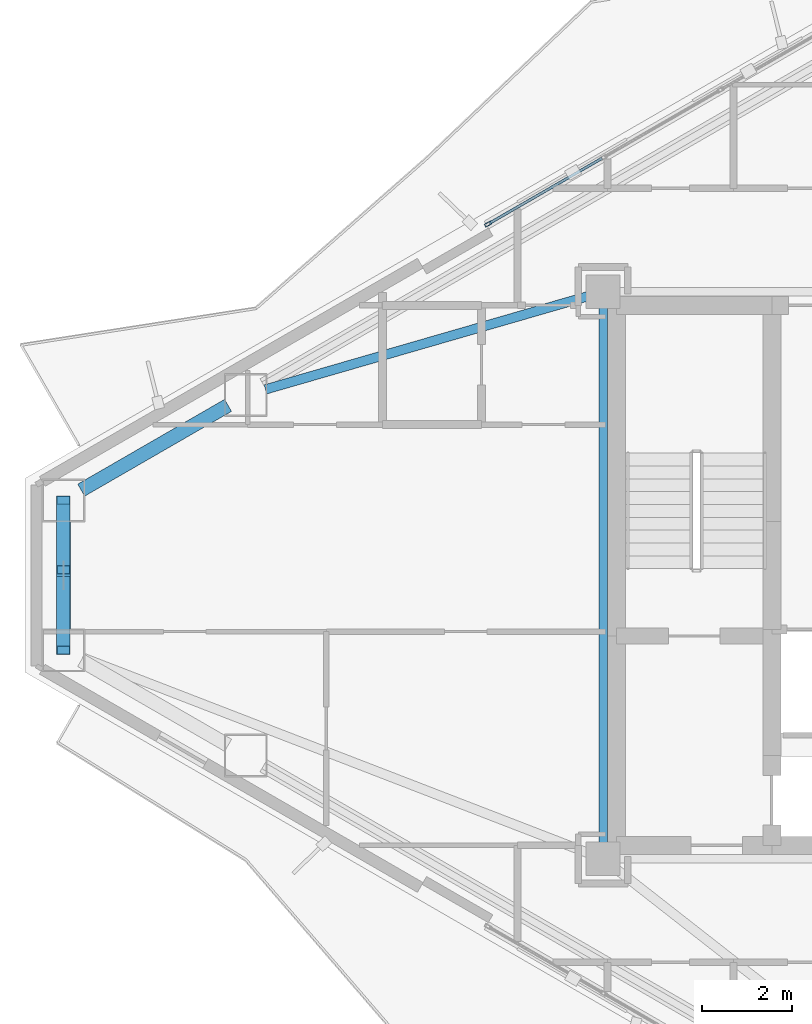
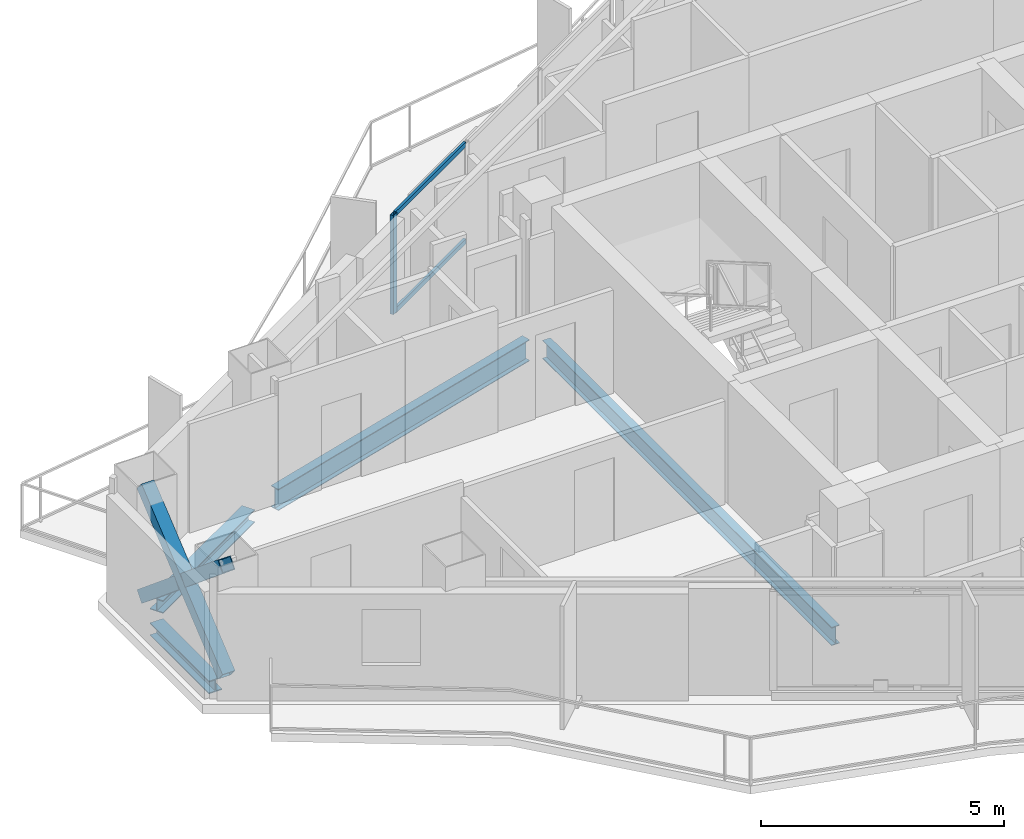
# One storey, part 7 of 21: 6 members, 4 beams, 1 element without a shape of its own.
"""IFC4 building model written with IfcOpenShell, lengths in metres."""

from ifc_helpers import new_model, si_unit, direction, frame, origin, origin_2d, place, context, subcontext, project, spatial, hollow_rectangle, i_section, extrude, material, layer, layer_set, material_profile, profile_set, type_object, element, aggregate, save


model = new_model("IFC4")

# Units and contexts
model_context = context("Model", 3, precision=1e-05, world=origin(), true_north=direction((0.0, 1.0)))
body_context = subcontext(model_context, "Body", "Model", "MODEL_VIEW")
ifc_project = project(units=[si_unit("LENGTHUNIT", "METRE"), si_unit("AREAUNIT", "SQUARE_METRE"), si_unit("VOLUMEUNIT", "CUBIC_METRE"), si_unit("PLANEANGLEUNIT", "RADIAN"), si_unit("MASSUNIT", "GRAM", prefix="KILO")], contexts=[model_context])

# Site, building, storey
site_placement = place(None, origin())
site = spatial("IfcSite", under=ifc_project, at=site_placement, CompositionType="ELEMENT")
building_placement = place(site_placement, origin())
building = spatial("IfcBuilding", under=site, at=building_placement, Name="Mersakhor Tower and Convention Hall", CompositionType="ELEMENT")
storey_placement = place(building_placement, frame((0.0, 0.0, 185.39990234375)))
storey = spatial("IfcBuildingStorey", under=building, at=storey_placement, Name="L51", CompositionType="ELEMENT", Elevation=185.39990234375)

# Beams
ifc_material_1 = material(Name="Steel S355", Category="steel")
ifc_material_profile_1 = material_profile(ifc_material_1, i_section(OverallWidth=0.19140625, OverallDepth=0.4599609375, WebThickness=0.010009765625, FlangeThickness=0.01611328125, at=origin_2d()), Name="UB 457x191x82")
ifc_profile_set_1 = profile_set([ifc_material_profile_1], Name="Steel S355")
beam_type_1 = type_object("IfcBeamType", Name="BM-FB-457", PredefinedType="BEAM", material=ifc_profile_set_1)
beam_1_placement = place(storey_placement, frame((21.89990234375, 20.804931640625, -0.4599609375), z_axis=(0.0, 1.0, 0.0), x_axis=(-1.0, 0.0, 0.0)))
element("IfcBeam", 1, at=beam_1_placement, inside=storey, type_object=beam_type_1, Name="L51 Core Ring Tie Beam CRB-1", PredefinedType="BEAM", context=body_context, shape_type="SweptSolid", body=[
    extrude(i_section(OverallWidth=0.19140625, OverallDepth=0.4599609375, WebThickness=0.010009765625, FlangeThickness=0.01611328125, at=origin_2d()), origin(), (0.0, 0.0, 1.0), 11.89013671875),
])
ifc_material_2 = material(Name="Steel S355", Category="steel")
ifc_material_profile_2 = material_profile(ifc_material_2, i_section(OverallWidth=0.2099609375, OverallDepth=0.53662109375, WebThickness=0.0107421875, FlangeThickness=0.017333984375, at=origin_2d()), Name="UB 533x210x101")
ifc_profile_set_2 = profile_set([ifc_material_profile_2], Name="Steel S355")
beam_type_2 = type_object("IfcBeamType", Name="BM-FB-533", PredefinedType="BEAM", material=ifc_profile_set_2)
beam_2_placement = place(storey_placement, frame((21.55908203125, 32.951416015625, -0.498291015625), z_axis=(-0.960669154125, -0.277695474059, 0.0), x_axis=(0.277695474059, -0.960669154125, 0.0)))
element("IfcBeam", 2, at=beam_2_placement, inside=storey, type_object=beam_type_2, Name="L51 Primary Floor Girder FG-1", PredefinedType="BEAM", context=body_context, shape_type="SweptSolid", body=[
    extrude(i_section(OverallWidth=0.2099609375, OverallDepth=0.53662109375, WebThickness=0.0107421875, FlangeThickness=0.017333984375, at=origin_2d()), origin(), (0.0, 0.0, 1.0), 7.455322265625),
])
ifc_material_3 = material(Name="Steel S355", Category="steel")
ifc_material_profile_3 = material_profile(ifc_material_3, i_section(OverallWidth=0.30908203125, OverallDepth=0.320556640625, WebThickness=0.013916015625, FlangeThickness=0.021728515625, at=origin_2d()), Name="UC 305x305x137")
ifc_profile_set_3 = profile_set([ifc_material_profile_3], Name="Steel S355")
beam_type_3 = type_object("IfcBeamType", Name="BM-SPD-UC305", PredefinedType="SPANDREL", material=ifc_profile_set_3)
beam_3_placement = place(storey_placement, frame((10.301513671875, 28.642822265625, -0.39013671875), z_axis=(0.866046450459, 0.499963544319, 0.0), x_axis=(-0.499963544319, 0.866046450459, 0.0)))
element("IfcBeam", 3, at=beam_3_placement, inside=storey, type_object=beam_type_3, Name="L51 Perimeter Spandrel Beam SPB-01", PredefinedType="SPANDREL", context=body_context, shape_type="SweptSolid", body=[
    extrude(i_section(OverallWidth=0.30908203125, OverallDepth=0.320556640625, WebThickness=0.013916015625, FlangeThickness=0.021728515625, at=origin_2d()), origin(), (0.0, 0.0, 1.0), 3.769287109375),
])
beam_4_placement = place(storey_placement, frame((9.907470703125, 25.539794921875, -0.39013671875), z_axis=(0.0, 1.0, 0.0), x_axis=(-1.0, 0.0, 0.0)))
element("IfcBeam", 4, at=beam_4_placement, inside=storey, type_object=beam_type_3, Name="L51 Perimeter Spandrel Beam SPB-12", PredefinedType="SPANDREL", context=body_context, shape_type="SweptSolid", body=[
    extrude(i_section(OverallWidth=0.30908203125, OverallDepth=0.320556640625, WebThickness=0.013916015625, FlangeThickness=0.021728515625, at=origin_2d()), origin(), (0.0, 0.0, 1.0), 2.42041015625),
])

# Curtain wall, members
ifc_material_4 = material(Name="Dark solar low-E aluminium curtain wall", Category="aluminium")
ifc_layer = layer(ifc_material_4, 0.169921875)
ifc_layer_set = layer_set([ifc_layer], Name="Dark solar low-E aluminium curtain wall")
curtain_wall_type = type_object("IfcCurtainWallType", Name="CW-SYS-02", PredefinedType="USERDEFINED", material=ifc_layer_set)
curtain_wall_placement = place(storey_placement, origin())
curtain_wall = element("IfcCurtainWall", 5, at=curtain_wall_placement, inside=storey, type_object=curtain_wall_type, Name="L51 Dark-Glass Curtain Wall F1-B2", ObjectType="CURTAIN WALL", PredefinedType="USERDEFINED")
ifc_material_5 = material(Name="Anodised aluminium EN AW-6063 T6", Category="aluminium")
ifc_material_profile_4 = material_profile(ifc_material_5, hollow_rectangle(XDim=0.074951171875, YDim=0.14990234375, WallThickness=0.00634765625, at=origin_2d()), Name="RHS 150x75x6.3")
ifc_profile_set_4 = profile_set([ifc_material_profile_4], Name="Anodised aluminium EN AW-6063 T6")
member_type_1 = type_object("IfcMemberType", Name="CWM-150x75", PredefinedType="MULLION", material=ifc_profile_set_4)
member_1_placement = place(storey_placement, frame((19.341796875, 34.554931640625, 0.2001953125), z_axis=(0.0, 0.0, 1.0), x_axis=(-0.500007824483, 0.86602088627, 0.0)))
member_1 = element("IfcMember", 6, at=member_1_placement, type_object=member_type_1, Name="CW-02 mullion 1", PredefinedType="MULLION", context=body_context, shape_type="SweptSolid", body=[
    extrude(hollow_rectangle(XDim=0.074951171875, YDim=0.14990234375, WallThickness=0.00634765625, at=origin_2d()), origin(), (0.0, 0.0, 1.0), 2.489990234375),
])
ifc_material_6 = material(Name="Anodised aluminium EN AW-6063 T6", Category="aluminium")
ifc_material_profile_5 = material_profile(ifc_material_6, hollow_rectangle(XDim=0.06005859375, YDim=0.1201171875, WallThickness=0.0048828125, at=origin_2d()), Name="RHS 120x60x5")
ifc_profile_set_5 = profile_set([ifc_material_profile_5], Name="Anodised aluminium EN AW-6063 T6")
member_type_2 = type_object("IfcMemberType", Name="CWT-120x60", PredefinedType="USERDEFINED", material=ifc_profile_set_5)
member_2_placement = place(storey_placement, frame((19.374267578125, 34.573486328125, 0.22998046875), z_axis=(0.86601237176, 0.50002257145, 0.0), x_axis=(-0.50002257145, 0.86601237176, 0.0)))
member_2 = element("IfcMember", 7, at=member_2_placement, type_object=member_type_2, Name="CW-02 transom 1.1", ObjectType="TRANSOM", PredefinedType="USERDEFINED", context=body_context, shape_type="SweptSolid", body=[
    extrude(hollow_rectangle(XDim=0.06005859375, YDim=0.1201171875, WallThickness=0.0048828125, at=origin_2d()), origin(), (0.0, 0.0, 1.0), 2.886962890625),
])
member_3_placement = place(storey_placement, frame((19.374267578125, 34.573486328125, 2.66015625), z_axis=(0.86601237176, 0.50002257145, 0.0), x_axis=(-0.50002257145, 0.86601237176, 0.0)))
member_3 = element("IfcMember", 8, at=member_3_placement, type_object=member_type_2, Name="CW-02 transom 1.2", ObjectType="TRANSOM", PredefinedType="USERDEFINED", context=body_context, shape_type="SweptSolid", body=[
    extrude(hollow_rectangle(XDim=0.06005859375, YDim=0.1201171875, WallThickness=0.0048828125, at=origin_2d()), origin(), (0.0, 0.0, 1.0), 2.886962890625),
])
aggregate(curtain_wall, [member_1, member_2, member_3])

# Members
ifc_material_7 = material(Name="Steel S355", Category="steel")
ifc_material_profile_6 = material_profile(ifc_material_7, hollow_rectangle(XDim=0.300048828125, YDim=0.300048828125, WallThickness=0.01611328125, at=origin_2d()), Name="SHS 300x300x16")
ifc_profile_set_6 = profile_set([ifc_material_profile_6], Name="Steel S355")
member_type_3 = type_object("IfcMemberType", Name="MB-BRC-SHS300", PredefinedType="BRACE", material=ifc_profile_set_6)
member_4_placement = place(storey_placement, frame((9.907470703125, 25.084716796875, 0.150146484375), z_axis=(0.0, 0.768839937868, 0.639441279508), x_axis=(-1.0, 0.0, 0.0)))
element("IfcMember", 9, at=member_4_placement, inside=storey, type_object=member_type_3, Name="L51 Chamfer Braced Frame Diagonal CB-3A", PredefinedType="BRACE", context=body_context, shape_type="SweptSolid", body=[
    extrude(hollow_rectangle(XDim=0.300048828125, YDim=0.300048828125, WallThickness=0.01611328125, at=origin_2d()), origin(), (0.0, 0.0, 1.0), 4.33203125),
])
member_5_placement = place(storey_placement, frame((9.907470703125, 28.415283203125, 0.150146484375), z_axis=(0.0, -0.768899389676, 0.639369790149), x_axis=(1.0, 0.0, 0.0)))
element("IfcMember", 10, at=member_5_placement, inside=storey, type_object=member_type_3, Name="L51 Chamfer Braced Frame Diagonal CB-3B Lower Half", PredefinedType="BRACE", context=body_context, shape_type="SweptSolid", body=[
    extrude(hollow_rectangle(XDim=0.300048828125, YDim=0.300048828125, WallThickness=0.01611328125, at=origin_2d()), origin(), (0.0, 0.0, 1.0), 2.00537109375),
])
member_6_placement = place(storey_placement, frame((9.907470703125, 26.626708984375, 1.6376953125), z_axis=(0.0, -0.768839543052, 0.63944175422), x_axis=(1.0, 0.0, 0.0)))
element("IfcMember", 11, at=member_6_placement, inside=storey, type_object=member_type_3, Name="L51 Chamfer Braced Frame Diagonal CB-3B Upper Half", PredefinedType="BRACE", context=body_context, shape_type="SweptSolid", body=[
    extrude(hollow_rectangle(XDim=0.300048828125, YDim=0.300048828125, WallThickness=0.01611328125, at=origin_2d()), origin(), (0.0, 0.0, 1.0), 2.005615234375),
])

save(model, "model.ifc")
